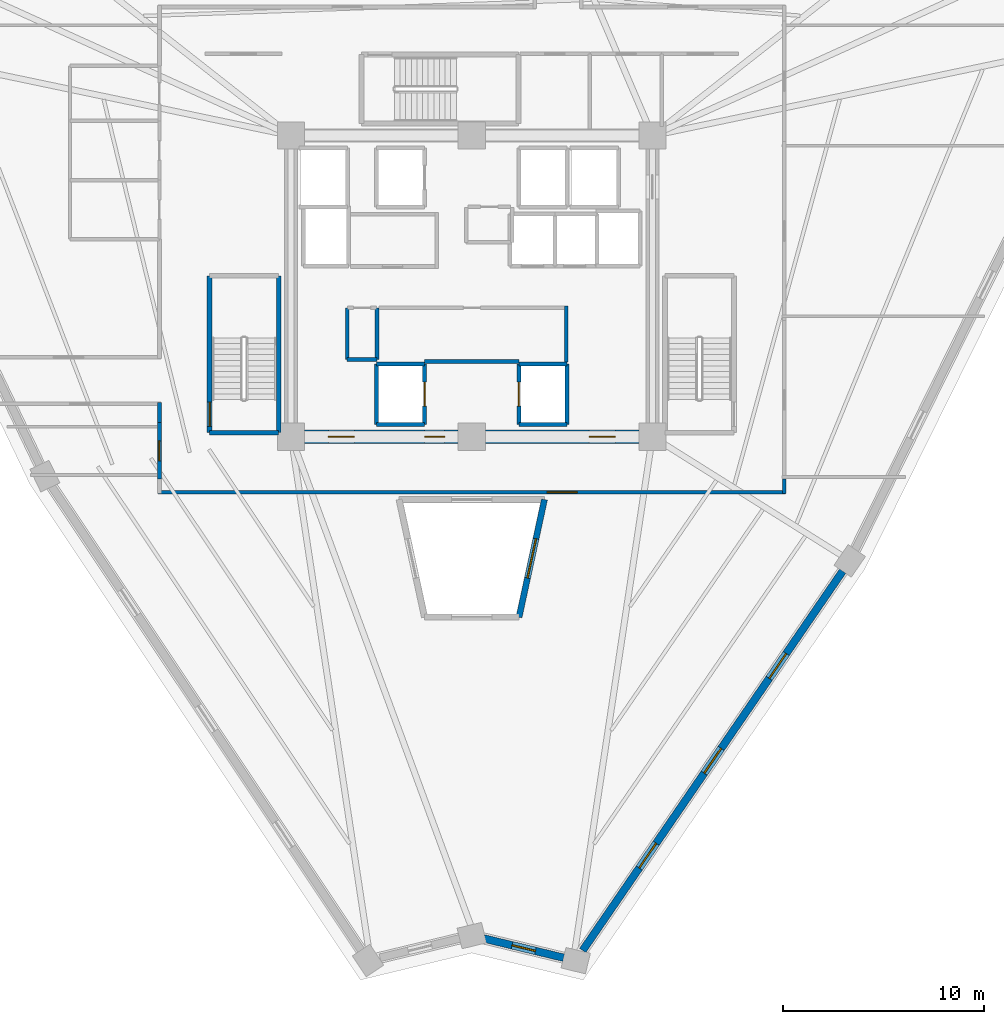
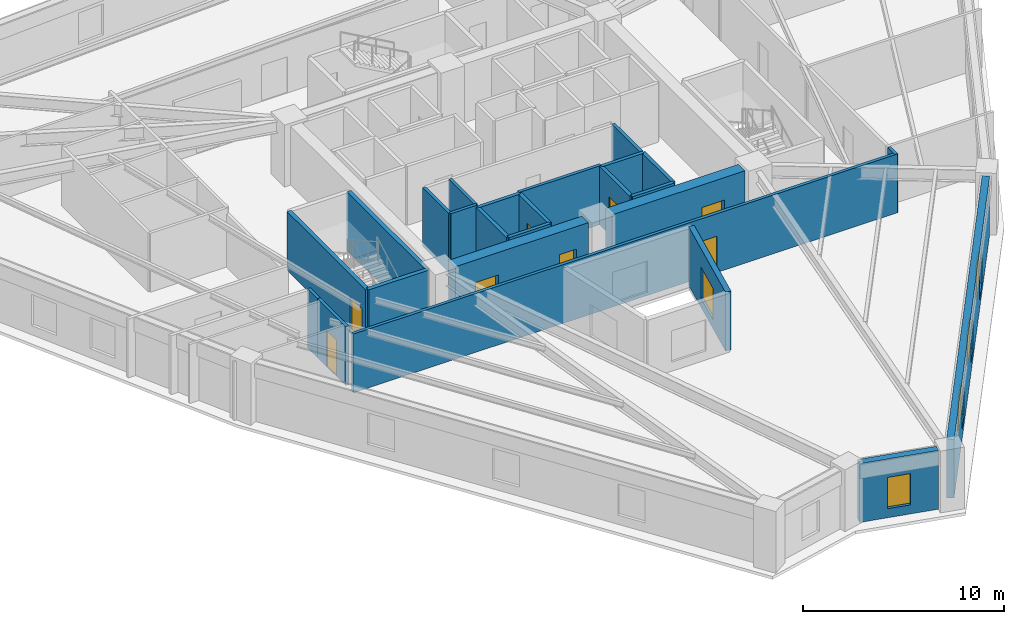
# One storey, part 3 of 8: 25 walls, 8 doors, 5 windows, 13 openings.
"""IFC4 building model written with IfcOpenShell, lengths in metres."""

from ifc_helpers import new_model, si_unit, direction, frame, frame_2d, origin, place, context, subcontext, project, spatial, rectangle, extrude, source, transform, mapped, material, layer, layer_set, type_object, element, fill, save


model = new_model("IFC4")

# Units and contexts
model_context = context("Model", 3, precision=1e-05, world=origin(), true_north=direction((0.0, 1.0)))
body_context = subcontext(model_context, "Body", "Model", "MODEL_VIEW")
ifc_project = project(units=[si_unit("LENGTHUNIT", "METRE"), si_unit("AREAUNIT", "SQUARE_METRE"), si_unit("VOLUMEUNIT", "CUBIC_METRE"), si_unit("PLANEANGLEUNIT", "RADIAN"), si_unit("MASSUNIT", "GRAM", prefix="KILO")], contexts=[model_context])

# Site, building, storey
site_placement = place(None, origin())
site = spatial("IfcSite", under=ifc_project, at=site_placement, CompositionType="ELEMENT")
building_placement = place(site_placement, origin())
building = spatial("IfcBuilding", under=site, at=building_placement, Name="Liaohun Quay Tower", CompositionType="ELEMENT")
storey_placement = place(building_placement, frame((0.0, 0.0, 266.25)))
storey = spatial("IfcBuildingStorey", under=building, at=storey_placement, Name="L69", CompositionType="ELEMENT", Elevation=266.25)

# Wall, opening, window
ifc_material_1 = material(Name="Concrete C50", Category="concrete")
ifc_layer_1 = layer(ifc_material_1, 0.300048828125, Name="Concrete C50", Category="concrete")
ifc_layer_set_1 = layer_set([ifc_layer_1], Name="Concrete C50")
wall_type_1 = type_object("IfcWallType", Name="WAL-ATR-300", PredefinedType="SOLIDWALL", material=ifc_layer_set_1)
wall_1_placement = place(storey_placement, frame((63.62109375, 43.3701171875, 0.0), z_axis=(0.0, 0.0, 1.0), x_axis=(-0.211271830319, -0.977427344468, 0.0)))
wall_1 = element("IfcWall", 1, at=wall_1_placement, inside=storey, type_object=wall_type_1, Name="L69 Atrium Fire Compartment Wall 3", PredefinedType="SOLIDWALL", context=body_context, shape_type="SweptSolid", body=[
    extrude(rectangle(XDim=5.99755859375, YDim=0.300048828125, at=frame_2d((2.998779296875, 0.0))), origin(), (0.0, 0.0, 1.0), 3.570068359375),
])
shared_shape_1 = source(origin(), body_context, "Body", "SweptSolid", [
    extrude(rectangle(XDim=2.0, YDim=1.89990234375, at=frame_2d((1.0, 0.949951171875))), frame((0.0, 0.159912109375, 0.0), z_axis=(0.0, -1.0, 0.0), x_axis=(1.0, 0.0, 0.0)), (0.0, 0.0, 1.0), 0.320068359375),
])
opening_1_placement = place(wall_1_placement, frame((1.9990234375, 0.0, 0.550048828125)))
opening_1 = element("IfcOpeningElement", 2, at=opening_1_placement, cuts=wall_1, Name="Opening W07", PredefinedType="OPENING", context=body_context, shape_type="MappedRepresentation", body=[
    mapped(shared_shape_1, transform((0.0, 0.0, 0.0), x_axis=(1.0, 0.0, 0.0), y_axis=(0.0, 1.0, 0.0), z_axis=(0.0, 0.0, 1.0), scale=1.0)),
])
ifc_material_2 = material(Name="Class A 180-min fire-resistant insulated glazing", Category="glass")
window_type_1 = type_object("IfcWindowType", Name="WIN-ATR-FIR", PartitioningType="DOUBLE_PANEL_VERTICAL", PredefinedType="WINDOW", material=ifc_material_2)
shared_shape_2 = source(origin(), body_context, "Body", "SweptSolid", [
    extrude(rectangle(XDim=2.0, YDim=1.89990234375, at=frame_2d((1.0, 0.949951171875))), frame((0.0, 0.030029296875, 0.0), z_axis=(0.0, -1.0, 0.0), x_axis=(1.0, 0.0, 0.0)), (0.0, 0.0, 1.0), 0.06005859375),
])
window_1_placement = place(opening_1_placement, origin())
window_1 = element("IfcWindow", 3, at=window_1_placement, inside=storey, type_object=window_type_1, Name="L69 Atrium Fire-Resistant Glazing W07-3", OverallHeight=1.89990234375, OverallWidth=2.0, PartitioningType="DOUBLE_PANEL_VERTICAL", PredefinedType="WINDOW", context=body_context, shape_type="MappedRepresentation", body=[
    mapped(shared_shape_2, transform((0.0, 0.0, 0.0), x_axis=(1.0, 0.0, 0.0), y_axis=(0.0, 1.0, 0.0), z_axis=(0.0, 0.0, 1.0), scale=1.0)),
])
fill(opening_1, window_1)

# Wall, opening, door
ifc_material_3 = material(Name="Concrete C55", Category="concrete")
ifc_layer_2 = layer(ifc_material_3, 0.64990234375, Name="Concrete C55", Category="concrete")
ifc_layer_set_2 = layer_set([ifc_layer_2], Name="Concrete C55")
wall_type_2 = type_object("IfcWallType", Name="WAL-COR-Z3", PredefinedType="SHEAR", material=ifc_layer_set_2)
wall_2_placement = place(storey_placement, frame((68.324951171875, 46.5, 0.0), z_axis=(0.0, 0.0, 1.0), x_axis=(-1.0, 0.0, 0.0)))
wall_2 = element("IfcWall", 4, at=wall_2_placement, inside=storey, type_object=wall_type_2, Name="L69 Central Core Shear Wall S-E", PredefinedType="SHEAR", context=body_context, shape_type="SweptSolid", body=[
    extrude(rectangle(XDim=7.64990234375, YDim=0.64990234375, at=frame_2d((3.824951171875, 0.0))), origin(), (0.0, 0.0, 1.0), 3.570068359375),
])
shared_shape_3 = source(origin(), body_context, "Body", "SweptSolid", [
    extrude(rectangle(XDim=1.300048828125, YDim=2.199951171875, at=frame_2d((0.64990234375, 1.10009765625))), frame((0.0, 0.3349609375, 0.0), z_axis=(0.0, -1.0, 0.0), x_axis=(1.0, 0.0, 0.0)), (0.0, 0.0, 1.0), 0.669921875),
])
opening_2_placement = place(wall_2_placement, frame((1.175048828125, 0.0, 0.0)))
opening_2 = element("IfcOpeningElement", 5, at=opening_2_placement, cuts=wall_2, Name="Opening FD1", PredefinedType="OPENING", context=body_context, shape_type="MappedRepresentation", body=[
    mapped(shared_shape_3, transform((0.0, 0.0, 0.0), x_axis=(1.0, 0.0, 0.0), y_axis=(0.0, 1.0, 0.0), z_axis=(0.0, 0.0, 1.0), scale=1.0)),
])
ifc_material_4 = material(Name="Galvanised steel smokeproof fire door", Category="steel")
door_type_1 = type_object("IfcDoorType", Name="DOR-FFL-1300", OperationType="NOTDEFINED", PredefinedType="DOOR", material=ifc_material_4)
shared_shape_4 = source(origin(), body_context, "Body", "SweptSolid", [
    extrude(rectangle(XDim=1.300048828125, YDim=2.199951171875, at=frame_2d((0.64990234375, 1.10009765625))), frame((0.0, 0.02490234375, 0.0), z_axis=(0.0, -1.0, 0.0), x_axis=(1.0, 0.0, 0.0)), (0.0, 0.0, 1.0), 0.050048828125),
])
door_1_placement = place(opening_2_placement, origin())
door_1 = element("IfcDoor", 6, at=door_1_placement, inside=storey, type_object=door_type_1, Name="L69 East Core Lift Lobby Smokeproof Door", OperationType="SINGLE_SWING_LEFT", OverallHeight=2.199951171875, OverallWidth=1.300048828125, PredefinedType="DOOR", context=body_context, shape_type="MappedRepresentation", body=[
    mapped(shared_shape_4, transform((0.0, 0.0, 0.0), x_axis=(1.0, 0.0, 0.0), y_axis=(0.0, 1.0, 0.0), z_axis=(0.0, 0.0, 1.0), scale=1.0)),
])
fill(opening_2, door_1)

# Wall, openings, doors
wall_3_placement = place(storey_placement, frame((59.324951171875, 46.5, 0.0), z_axis=(0.0, 0.0, 1.0), x_axis=(-1.0, 0.0, 0.0)))
wall_3 = element("IfcWall", 7, at=wall_3_placement, inside=storey, type_object=wall_type_2, Name="L69 Central Core Shear Wall S-W", PredefinedType="SHEAR", context=body_context, shape_type="SweptSolid", body=[
    extrude(rectangle(XDim=7.64990234375, YDim=0.64990234375, at=frame_2d((3.824951171875, 0.0))), origin(), (0.0, 0.0, 1.0), 3.570068359375),
])
opening_3_placement = place(wall_3_placement, frame((5.175048828125, 0.0, 0.0)))
opening_3 = element("IfcOpeningElement", 8, at=opening_3_placement, cuts=wall_3, Name="Opening FD1", PredefinedType="OPENING", context=body_context, shape_type="MappedRepresentation", body=[
    mapped(shared_shape_3, transform((0.0, 0.0, 0.0), x_axis=(1.0, 0.0, 0.0), y_axis=(0.0, 1.0, 0.0), z_axis=(0.0, 0.0, 1.0), scale=1.0)),
])
shared_shape_5 = source(origin(), body_context, "Body", "SweptSolid", [
    extrude(rectangle(XDim=1.0, YDim=2.199951171875, at=frame_2d((0.5, 1.10009765625))), frame((0.0, 0.3349609375, 0.0), z_axis=(0.0, -1.0, 0.0), x_axis=(1.0, 0.0, 0.0)), (0.0, 0.0, 1.0), 0.669921875),
])
opening_4_placement = place(wall_3_placement, frame((0.675048828125, 0.0, 0.0)))
opening_4 = element("IfcOpeningElement", 9, at=opening_4_placement, cuts=wall_3, Name="Opening FD2", PredefinedType="OPENING", context=body_context, shape_type="MappedRepresentation", body=[
    mapped(shared_shape_5, transform((0.0, 0.0, 0.0), x_axis=(1.0, 0.0, 0.0), y_axis=(0.0, 1.0, 0.0), z_axis=(0.0, 0.0, 1.0), scale=1.0)),
])
door_2_placement = place(opening_3_placement, origin())
door_2 = element("IfcDoor", 10, at=door_2_placement, inside=storey, type_object=door_type_1, Name="L69 West Core Lift Lobby Smokeproof Door", OperationType="SINGLE_SWING_RIGHT", OverallHeight=2.199951171875, OverallWidth=1.300048828125, PredefinedType="DOOR", context=body_context, shape_type="MappedRepresentation", body=[
    mapped(shared_shape_4, transform((0.0, 0.0, 0.0), x_axis=(1.0, 0.0, 0.0), y_axis=(0.0, 1.0, 0.0), z_axis=(0.0, 0.0, 1.0), scale=1.0)),
])
fill(opening_3, door_2)
ifc_material_5 = material(Name="Galvanised steel smokeproof lobby fire door", Category="steel")
door_type_2 = type_object("IfcDoorType", Name="DOR-FFL-1000", OperationType="NOTDEFINED", PredefinedType="DOOR", material=ifc_material_5)
shared_shape_6 = source(origin(), body_context, "Body", "SweptSolid", [
    extrude(rectangle(XDim=1.0, YDim=2.199951171875, at=frame_2d((0.5, 1.10009765625))), frame((0.0, 0.02490234375, 0.0), z_axis=(0.0, -1.0, 0.0), x_axis=(1.0, 0.0, 0.0)), (0.0, 0.0, 1.0), 0.050048828125),
])
door_3_placement = place(opening_4_placement, origin())
door_3 = element("IfcDoor", 11, at=door_3_placement, inside=storey, type_object=door_type_2, Name="L69 South Firefighting Lobby Smokeproof Door", OperationType="SINGLE_SWING_LEFT", OverallHeight=2.199951171875, OverallWidth=1.0, PredefinedType="DOOR", context=body_context, shape_type="MappedRepresentation", body=[
    mapped(shared_shape_6, transform((0.0, 0.0, 0.0), x_axis=(1.0, 0.0, 0.0), y_axis=(0.0, 1.0, 0.0), z_axis=(0.0, 0.0, 1.0), scale=1.0)),
])
fill(opening_4, door_3)

# Wall, opening, window
ifc_material_6 = material(Name="Precast concrete C50 insulated sandwich", Category="concrete")
ifc_layer_3 = layer(ifc_material_6, 0.3798828125, Name="Precast concrete C50 insulated sandwich", Category="concrete")
ifc_layer_set_3 = layer_set([ifc_layer_3], Name="Precast concrete C50 insulated sandwich")
wall_type_3 = type_object("IfcWallType", Name="WAL-EXT-Z34", PredefinedType="SOLIDWALL", material=ifc_layer_set_3)
wall_4_placement = place(storey_placement, frame((60.597900390625, 21.5048828125, 0.0), z_axis=(0.0, 0.0, 1.0), x_axis=(0.972030144739, -0.234856121314, 0.0)))
wall_4 = element("IfcWall", 12, at=wall_4_placement, inside=storey, type_object=wall_type_3, Name="L69 Brutalist Precast Pier Wall 01", PredefinedType="SOLIDWALL", context=body_context, shape_type="SweptSolid", body=[
    extrude(rectangle(XDim=4.095703125, YDim=0.3798828125, at=frame_2d((2.0478515625, 0.0))), origin(), (0.0, 0.0, 1.0), 3.570068359375),
])
shared_shape_7 = source(origin(), body_context, "Body", "SweptSolid", [
    extrude(rectangle(XDim=1.199951171875, YDim=1.89990234375, at=frame_2d((0.60009765625, 0.949951171875))), frame((0.0, 0.199951171875, 0.0), z_axis=(0.0, -1.0, 0.0), x_axis=(1.0, 0.0, 0.0)), (0.0, 0.0, 1.0), 0.39990234375),
])
opening_5_placement = place(wall_4_placement, frame((1.447998046875, 0.0, 0.550048828125)))
opening_5 = element("IfcOpeningElement", 13, at=opening_5_placement, cuts=wall_4, Name="Opening W05", PredefinedType="OPENING", context=body_context, shape_type="MappedRepresentation", body=[
    mapped(shared_shape_7, transform((0.0, 0.0, 0.0), x_axis=(1.0, 0.0, 0.0), y_axis=(0.0, 1.0, 0.0), z_axis=(0.0, 0.0, 1.0), scale=1.0)),
])
ifc_material_7 = material(Name="Triple Low-E corner notch glazing", Category="glass")
window_type_2 = type_object("IfcWindowType", Name="WIN-NOTCH", PartitioningType="SINGLE_PANEL", PredefinedType="WINDOW", material=ifc_material_7)
shared_shape_8 = source(origin(), body_context, "Body", "SweptSolid", [
    extrude(rectangle(XDim=1.199951171875, YDim=1.89990234375, at=frame_2d((0.60009765625, 0.949951171875))), frame((0.0, 0.030029296875, 0.0), z_axis=(0.0, -1.0, 0.0), x_axis=(1.0, 0.0, 0.0)), (0.0, 0.0, 1.0), 0.06005859375),
])
window_2_placement = place(opening_5_placement, origin())
window_2 = element("IfcWindow", 14, at=window_2_placement, inside=storey, type_object=window_type_2, Name="L69 Corner Notch Window W05-01", OverallHeight=1.89990234375, OverallWidth=1.199951171875, PartitioningType="SINGLE_PANEL", PredefinedType="WINDOW", context=body_context, shape_type="MappedRepresentation", body=[
    mapped(shared_shape_8, transform((0.0, 0.0, 0.0), x_axis=(1.0, 0.0, 0.0), y_axis=(0.0, 1.0, 0.0), z_axis=(0.0, 0.0, 1.0), scale=1.0)),
])
fill(opening_5, window_2)

# Wall, openings, windows
wall_5_placement = place(storey_placement, frame((65.52490234375, 20.906005859375, 0.0), z_axis=(0.0, 0.0, 1.0), x_axis=(0.565364357926, 0.824841283392, 0.0)))
wall_5 = element("IfcWall", 15, at=wall_5_placement, inside=storey, type_object=wall_type_3, Name="L69 Brutalist Precast Pier Wall 02", PredefinedType="SOLIDWALL", context=body_context, shape_type="SweptSolid", body=[
    extrude(rectangle(XDim=22.91455078125, YDim=0.3798828125, at=frame_2d((11.457275390625, 0.0))), origin(), (0.0, 0.0, 1.0), 3.570068359375),
])
shared_shape_9 = source(origin(), body_context, "Body", "SweptSolid", [
    extrude(rectangle(XDim=1.5, YDim=1.89990234375, at=frame_2d((0.75, 0.949951171875))), frame((0.0, 0.199951171875, 0.0), z_axis=(0.0, -1.0, 0.0), x_axis=(1.0, 0.0, 0.0)), (0.0, 0.0, 1.0), 0.39990234375),
])
opening_6_placement = place(wall_5_placement, frame((4.97900390625, 0.0, 0.550048828125)))
opening_6 = element("IfcOpeningElement", 16, at=opening_6_placement, cuts=wall_5, Name="Opening W03", PredefinedType="OPENING", context=body_context, shape_type="MappedRepresentation", body=[
    mapped(shared_shape_9, transform((0.0, 0.0, 0.0), x_axis=(1.0, 0.0, 0.0), y_axis=(0.0, 1.0, 0.0), z_axis=(0.0, 0.0, 1.0), scale=1.0)),
])
opening_7_placement = place(wall_5_placement, frame((10.70703125, 0.0, 0.550048828125)))
opening_7 = element("IfcOpeningElement", 17, at=opening_7_placement, cuts=wall_5, Name="Opening W03", PredefinedType="OPENING", context=body_context, shape_type="MappedRepresentation", body=[
    mapped(shared_shape_9, transform((0.0, 0.0, 0.0), x_axis=(1.0, 0.0, 0.0), y_axis=(0.0, 1.0, 0.0), z_axis=(0.0, 0.0, 1.0), scale=1.0)),
])
opening_8_placement = place(wall_5_placement, frame((16.43603515625, 0.0, 0.550048828125)))
opening_8 = element("IfcOpeningElement", 18, at=opening_8_placement, cuts=wall_5, Name="Opening W03", PredefinedType="OPENING", context=body_context, shape_type="MappedRepresentation", body=[
    mapped(shared_shape_9, transform((0.0, 0.0, 0.0), x_axis=(1.0, 0.0, 0.0), y_axis=(0.0, 1.0, 0.0), z_axis=(0.0, 0.0, 1.0), scale=1.0)),
])
ifc_material_8 = material(Name="Triple Low-E argon glazing in thermally broken aluminium", Category="aluminium")
window_type_3 = type_object("IfcWindowType", Name="WIN-PUN-Z3", PartitioningType="DOUBLE_PANEL_VERTICAL", PredefinedType="WINDOW", material=ifc_material_8)
shared_shape_10 = source(origin(), body_context, "Body", "SweptSolid", [
    extrude(rectangle(XDim=1.5, YDim=1.89990234375, at=frame_2d((0.75, 0.949951171875))), frame((0.0, 0.030029296875, 0.0), z_axis=(0.0, -1.0, 0.0), x_axis=(1.0, 0.0, 0.0)), (0.0, 0.0, 1.0), 0.06005859375),
])
window_3_placement = place(opening_6_placement, origin())
window_3 = element("IfcWindow", 19, at=window_3_placement, inside=storey, type_object=window_type_3, Name="L69 Recessed Cold-Climate Punched Window 02-1", OverallHeight=1.89990234375, OverallWidth=1.5, PartitioningType="DOUBLE_PANEL_VERTICAL", PredefinedType="WINDOW", context=body_context, shape_type="MappedRepresentation", body=[
    mapped(shared_shape_10, transform((0.0, 0.0, 0.0), x_axis=(1.0, 0.0, 0.0), y_axis=(0.0, 1.0, 0.0), z_axis=(0.0, 0.0, 1.0), scale=1.0)),
])
fill(opening_6, window_3)
window_4_placement = place(opening_7_placement, origin())
window_4 = element("IfcWindow", 20, at=window_4_placement, inside=storey, type_object=window_type_3, Name="L69 Recessed Cold-Climate Punched Window 02-2", OverallHeight=1.89990234375, OverallWidth=1.5, PartitioningType="DOUBLE_PANEL_VERTICAL", PredefinedType="WINDOW", context=body_context, shape_type="MappedRepresentation", body=[
    mapped(shared_shape_10, transform((0.0, 0.0, 0.0), x_axis=(1.0, 0.0, 0.0), y_axis=(0.0, 1.0, 0.0), z_axis=(0.0, 0.0, 1.0), scale=1.0)),
])
fill(opening_7, window_4)
window_5_placement = place(opening_8_placement, origin())
window_5 = element("IfcWindow", 21, at=window_5_placement, inside=storey, type_object=window_type_3, Name="L69 Recessed Cold-Climate Punched Window 02-3", OverallHeight=1.89990234375, OverallWidth=1.5, PartitioningType="DOUBLE_PANEL_VERTICAL", PredefinedType="WINDOW", context=body_context, shape_type="MappedRepresentation", body=[
    mapped(shared_shape_10, transform((0.0, 0.0, 0.0), x_axis=(1.0, 0.0, 0.0), y_axis=(0.0, 1.0, 0.0), z_axis=(0.0, 0.0, 1.0), scale=1.0)),
])
fill(opening_8, window_5)

# Wall, opening, door
ifc_material_9 = material(Name="Autoclaved aerated concrete blockwork", Category="masonry")
ifc_layer_4 = layer(ifc_material_9, 0.179931640625, Name="Autoclaved aerated concrete blockwork", Category="masonry")
ifc_layer_set_4 = layer_set([ifc_layer_4], Name="Autoclaved aerated concrete blockwork")
wall_type_4 = type_object("IfcWallType", Name="WAL-PRT-COR", PredefinedType="PARTITIONING", material=ifc_layer_set_4)
wall_6_placement = place(storey_placement, frame((44.43994140625, 44.385009765625, 0.0), z_axis=(0.0, 0.0, 1.0), x_axis=(0.0, 1.0, 0.0)))
wall_6 = element("IfcWall", 22, at=wall_6_placement, inside=storey, type_object=wall_type_4, Name="L69 Interior Partition Wall 018", PredefinedType="PARTITIONING", context=body_context, shape_type="SweptSolid", body=[
    extrude(rectangle(XDim=2.830078125, YDim=0.179931640625, at=frame_2d((1.4150390625, 0.0))), origin(), (0.0, 0.0, 1.0), 3.570068359375),
])
shared_shape_11 = source(origin(), body_context, "Body", "SweptSolid", [
    extrude(rectangle(XDim=1.0, YDim=2.199951171875, at=frame_2d((0.5, 1.10009765625))), frame((0.0, 0.099853515625, 0.0), z_axis=(0.0, -1.0, 0.0), x_axis=(1.0, 0.0, 0.0)), (0.0, 0.0, 1.0), 0.199951171875),
])
opening_9_placement = place(wall_6_placement, frame((0.9150390625, 0.0, 0.0)))
opening_9 = element("IfcOpeningElement", 23, at=opening_9_placement, cuts=wall_6, Name="Opening OD1", PredefinedType="OPENING", context=body_context, shape_type="MappedRepresentation", body=[
    mapped(shared_shape_11, transform((0.0, 0.0, 0.0), x_axis=(1.0, 0.0, 0.0), y_axis=(0.0, 1.0, 0.0), z_axis=(0.0, 0.0, 1.0), scale=1.0)),
])
ifc_material_10 = material(Name="Solid-core oak veneer timber leaf in steel frame", Category="steel")
door_type_3 = type_object("IfcDoorType", Name="DOR-OFF-1000", OperationType="NOTDEFINED", PredefinedType="DOOR", material=ifc_material_10)
door_4_placement = place(opening_9_placement, origin())
door_4 = element("IfcDoor", 24, at=door_4_placement, inside=storey, type_object=door_type_3, Name="L69 Digital Prototyping Laboratory 07 Door", OperationType="SINGLE_SWING_RIGHT", OverallHeight=2.199951171875, OverallWidth=1.0, PredefinedType="DOOR", context=body_context, shape_type="MappedRepresentation", body=[
    mapped(shared_shape_6, transform((0.0, 0.0, 0.0), x_axis=(1.0, 0.0, 0.0), y_axis=(0.0, 1.0, 0.0), z_axis=(0.0, 0.0, 1.0), scale=1.0)),
])
fill(opening_9, door_4)

wall_7_placement = place(storey_placement, frame((75.6298828125, 43.739990234375, 0.0), z_axis=(0.0, 0.0, 1.0), x_axis=(-1.0, 0.0, 0.0)))
wall_7 = element("IfcWall", 25, at=wall_7_placement, inside=storey, type_object=wall_type_4, Name="L69 Interior Partition Wall 019", PredefinedType="PARTITIONING", context=body_context, shape_type="SweptSolid", body=[
    extrude(rectangle(XDim=31.259765625, YDim=0.179931640625, at=frame_2d((15.6298828125, 0.0))), origin(), (0.0, 0.0, 1.0), 3.570068359375),
])
shared_shape_12 = source(origin(), body_context, "Body", "SweptSolid", [
    extrude(rectangle(XDim=1.5, YDim=2.199951171875, at=frame_2d((0.75, 1.10009765625))), frame((0.0, 0.099853515625, 0.0), z_axis=(0.0, -1.0, 0.0), x_axis=(1.0, 0.0, 0.0)), (0.0, 0.0, 1.0), 0.199951171875),
])
opening_10_placement = place(wall_7_placement, frame((10.3798828125, 0.0, 0.0)))
opening_10 = element("IfcOpeningElement", 26, at=opening_10_placement, cuts=wall_7, Name="Opening OD2", PredefinedType="OPENING", context=body_context, shape_type="MappedRepresentation", body=[
    mapped(shared_shape_12, transform((0.0, 0.0, 0.0), x_axis=(1.0, 0.0, 0.0), y_axis=(0.0, 1.0, 0.0), z_axis=(0.0, 0.0, 1.0), scale=1.0)),
])
ifc_material_11 = material(Name="Acoustic oak veneer double door")
door_type_4 = type_object("IfcDoorType", Name="DOR-OFF-1500", OperationType="DOUBLE_DOOR_SINGLE_SWING", PredefinedType="DOOR", material=ifc_material_11)
shared_shape_13 = source(origin(), body_context, "Body", "SweptSolid", [
    extrude(rectangle(XDim=1.5, YDim=2.199951171875, at=frame_2d((0.75, 1.10009765625))), frame((0.0, 0.02490234375, 0.0), z_axis=(0.0, -1.0, 0.0), x_axis=(1.0, 0.0, 0.0)), (0.0, 0.0, 1.0), 0.050048828125),
])
door_5_placement = place(opening_10_placement, origin())
door_5 = element("IfcDoor", 27, at=door_5_placement, inside=storey, type_object=door_type_4, Name="L69 Client Collaboration Lounge 08 Door", OperationType="DOUBLE_DOOR_SINGLE_SWING", OverallHeight=2.199951171875, OverallWidth=1.5, PredefinedType="DOOR", context=body_context, shape_type="MappedRepresentation", body=[
    mapped(shared_shape_13, transform((0.0, 0.0, 0.0), x_axis=(1.0, 0.0, 0.0), y_axis=(0.0, 1.0, 0.0), z_axis=(0.0, 0.0, 1.0), scale=1.0)),
])
fill(opening_10, door_5)

# Walls
wall_8_placement = place(storey_placement, frame((53.7900390625, 50.35009765625, 0.0), z_axis=(0.0, 0.0, 1.0), x_axis=(0.0, 1.0, 0.0)))
element("IfcWall", 28, at=wall_8_placement, inside=storey, type_object=wall_type_4, Name="L69 Interior Partition Wall 024", PredefinedType="PARTITIONING", context=body_context, shape_type="SweptSolid", body=[
    extrude(rectangle(XDim=2.56982421875, YDim=0.179931640625, at=frame_2d((1.284912109375, 0.0))), origin(), (0.0, 0.0, 1.0), 3.570068359375),
])
wall_9_placement = place(storey_placement, frame((53.7900390625, 50.35009765625, 0.0), z_axis=(0.0, 0.0, 1.0), x_axis=(1.0, 0.0, 0.0)))
element("IfcWall", 29, at=wall_9_placement, inside=storey, type_object=wall_type_4, Name="L69 Interior Partition Wall 025", PredefinedType="PARTITIONING", context=body_context, shape_type="SweptSolid", body=[
    extrude(rectangle(XDim=1.489990234375, YDim=0.179931640625, at=frame_2d((0.7451171875, 0.0))), origin(), (0.0, 0.0, 1.0), 3.570068359375),
])
wall_10_placement = place(storey_placement, frame((55.280029296875, 50.35009765625, 0.0), z_axis=(0.0, 0.0, 1.0), x_axis=(0.0, 1.0, 0.0)))
element("IfcWall", 30, at=wall_10_placement, inside=storey, type_object=wall_type_4, Name="L69 Interior Partition Wall 026", PredefinedType="PARTITIONING", context=body_context, shape_type="SweptSolid", body=[
    extrude(rectangle(XDim=2.56982421875, YDim=0.179931640625, at=frame_2d((1.284912109375, 0.0))), origin(), (0.0, 0.0, 1.0), 3.570068359375),
])
wall_11_placement = place(storey_placement, frame((44.43994140625, 47.215087890625, 0.0), z_axis=(0.0, 0.0, 1.0), x_axis=(0.0, 1.0, 0.0)))
element("IfcWall", 31, at=wall_11_placement, inside=storey, type_object=wall_type_4, Name="L69 Interior Partition Wall 040", PredefinedType="PARTITIONING", context=body_context, shape_type="SweptSolid", body=[
    extrude(rectangle(XDim=0.994873046875, YDim=0.179931640625, at=frame_2d((0.49755859375, 0.0))), origin(), (0.0, 0.0, 1.0), 3.570068359375),
])
wall_12_placement = place(storey_placement, frame((75.56005859375, 44.385009765625, 0.0), z_axis=(0.0, 0.0, 1.0), x_axis=(0.0, -1.0, 0.0)))
element("IfcWall", 32, at=wall_12_placement, inside=storey, type_object=wall_type_4, Name="L69 Interior Partition Wall 042", PredefinedType="PARTITIONING", context=body_context, shape_type="SweptSolid", body=[
    extrude(rectangle(XDim=0.715087890625, YDim=0.179931640625, at=frame_2d((0.357421875, 0.0))), origin(), (0.0, 0.0, 1.0), 3.570068359375),
])
wall_13_placement = place(storey_placement, frame((64.699951171875, 50.219970703125, 0.0), z_axis=(0.0, 0.0, 1.0), x_axis=(0.0, 1.0, 0.0)))
element("IfcWall", 33, at=wall_13_placement, inside=storey, type_object=wall_type_4, Name="L69 Interior Partition Wall 050", PredefinedType="PARTITIONING", context=body_context, shape_type="SweptSolid", body=[
    extrude(rectangle(XDim=2.7900390625, YDim=0.179931640625, at=frame_2d((1.39501953125, 0.0))), origin(), (0.0, 0.0, 1.0), 3.570068359375),
])
wall_14_placement = place(storey_placement, frame((57.64990234375, 50.25, 0.0), z_axis=(0.0, 0.0, 1.0), x_axis=(1.0, 0.0, 0.0)))
element("IfcWall", 34, at=wall_14_placement, inside=storey, type_object=wall_type_4, Name="L69 Interior Partition Wall 051", PredefinedType="PARTITIONING", context=body_context, shape_type="SweptSolid", body=[
    extrude(rectangle(XDim=4.7001953125, YDim=0.179931640625, at=frame_2d((2.35009765625, 0.0))), origin(), (0.0, 0.0, 1.0), 3.570068359375),
])
ifc_layer_5 = layer(ifc_material_1, 0.239990234375, Name="Concrete C50", Category="concrete")
ifc_layer_set_5 = layer_set([ifc_layer_5], Name="Concrete C50")
wall_type_5 = type_object("IfcWallType", Name="WAL-SHF-200", PredefinedType="SOLIDWALL", material=ifc_layer_set_5)
wall_15_placement = place(storey_placement, frame((46.93994140625, 46.699951171875, 0.0), z_axis=(0.0, 0.0, 1.0), x_axis=(1.0, 0.0, 0.0)))
element("IfcWall", 35, at=wall_15_placement, inside=storey, type_object=wall_type_5, Name="L69 Stairwell ST-1 Structural Core Wall S", PredefinedType="SOLIDWALL", context=body_context, shape_type="SweptSolid", body=[
    extrude(rectangle(XDim=3.43994140625, YDim=0.239990234375, at=frame_2d((1.719970703125, 0.0))), origin(), (0.0, 0.0, 1.0), 3.570068359375),
])
wall_16_placement = place(storey_placement, frame((50.3798828125, 46.699951171875, 0.0), z_axis=(0.0, 0.0, 1.0), x_axis=(0.0, 1.0, 0.0)))
element("IfcWall", 36, at=wall_16_placement, inside=storey, type_object=wall_type_5, Name="L69 Stairwell ST-1 Structural Core Wall E", PredefinedType="SOLIDWALL", context=body_context, shape_type="SweptSolid", body=[
    extrude(rectangle(XDim=7.820068359375, YDim=0.239990234375, at=frame_2d((3.91015625, 0.0))), origin(), (0.0, 0.0, 1.0), 3.570068359375),
])

# Wall, opening, door
wall_17_placement = place(storey_placement, frame((46.93994140625, 54.52001953125, 0.0), z_axis=(0.0, 0.0, 1.0), x_axis=(0.0, -1.0, 0.0)))
wall_17 = element("IfcWall", 37, at=wall_17_placement, inside=storey, type_object=wall_type_5, Name="L69 Stairwell ST-1 Structural Core Wall W", PredefinedType="SOLIDWALL", context=body_context, shape_type="SweptSolid", body=[
    extrude(rectangle(XDim=7.820068359375, YDim=0.239990234375, at=frame_2d((3.91015625, 0.0))), origin(), (0.0, 0.0, 1.0), 3.570068359375),
])
shared_shape_14 = source(origin(), body_context, "Body", "SweptSolid", [
    extrude(rectangle(XDim=1.199951171875, YDim=2.199951171875, at=frame_2d((0.60009765625, 1.10009765625))), frame((0.0, 0.1298828125, 0.0), z_axis=(0.0, -1.0, 0.0), x_axis=(1.0, 0.0, 0.0)), (0.0, 0.0, 1.0), 0.260009765625),
])
opening_11_placement = place(wall_17_placement, frame((6.300048828125, 0.0, 0.0)))
opening_11 = element("IfcOpeningElement", 38, at=opening_11_placement, cuts=wall_17, Name="Opening SD1", PredefinedType="OPENING", context=body_context, shape_type="MappedRepresentation", body=[
    mapped(shared_shape_14, transform((0.0, 0.0, 0.0), x_axis=(1.0, 0.0, 0.0), y_axis=(0.0, 1.0, 0.0), z_axis=(0.0, 0.0, 1.0), scale=1.0)),
])
ifc_material_12 = material(Name="Galvanised steel fire door", Category="steel")
door_type_5 = type_object("IfcDoorType", Name="DOR-STR-1200", OperationType="NOTDEFINED", PredefinedType="DOOR", material=ifc_material_12)
shared_shape_15 = source(origin(), body_context, "Body", "SweptSolid", [
    extrude(rectangle(XDim=1.199951171875, YDim=2.199951171875, at=frame_2d((0.60009765625, 1.10009765625))), frame((0.0, 0.02490234375, 0.0), z_axis=(0.0, -1.0, 0.0), x_axis=(1.0, 0.0, 0.0)), (0.0, 0.0, 1.0), 0.050048828125),
])
door_6_placement = place(opening_11_placement, origin())
door_6 = element("IfcDoor", 39, at=door_6_placement, inside=storey, type_object=door_type_5, Name="L69 Protected Stair ST-1 Fire Door", OperationType="SINGLE_SWING_LEFT", OverallHeight=2.199951171875, OverallWidth=1.199951171875, PredefinedType="DOOR", context=body_context, shape_type="MappedRepresentation", body=[
    mapped(shared_shape_15, transform((0.0, 0.0, 0.0), x_axis=(1.0, 0.0, 0.0), y_axis=(0.0, 1.0, 0.0), z_axis=(0.0, 0.0, 1.0), scale=1.0)),
])
fill(opening_11, door_6)

# Wall
wall_18_placement = place(storey_placement, frame((55.25, 47.1201171875, 0.0), z_axis=(0.0, 0.0, 1.0), x_axis=(1.0, 0.0, 0.0)))
element("IfcWall", 40, at=wall_18_placement, inside=storey, type_object=wall_type_5, Name="L69 Lift FF-01 Hoistway Wall S", PredefinedType="SOLIDWALL", context=body_context, shape_type="SweptSolid", body=[
    extrude(rectangle(XDim=2.39990234375, YDim=0.199951171875, at=frame_2d((1.199951171875, 0.0))), origin(), (0.0, 0.0, 1.0), 3.570068359375),
])

# Wall, opening, door
wall_19_placement = place(storey_placement, frame((57.64990234375, 47.1201171875, 0.0), z_axis=(0.0, 0.0, 1.0), x_axis=(0.0, 1.0, 0.0)))
wall_19 = element("IfcWall", 41, at=wall_19_placement, inside=storey, type_object=wall_type_5, Name="L69 Lift FF-01 Hoistway Wall E", PredefinedType="SOLIDWALL", context=body_context, shape_type="SweptSolid", body=[
    extrude(rectangle(XDim=3.0, YDim=0.199951171875, at=frame_2d((1.5, 0.0))), origin(), (0.0, 0.0, 1.0), 3.570068359375),
])
shared_shape_16 = source(origin(), body_context, "Body", "SweptSolid", [
    extrude(rectangle(XDim=1.199951171875, YDim=2.300048828125, at=frame_2d((0.60009765625, 1.14990234375))), frame((0.0, 0.10986328125, 0.0), z_axis=(0.0, -1.0, 0.0), x_axis=(1.0, 0.0, 0.0)), (0.0, 0.0, 1.0), 0.219970703125),
])
opening_12_placement = place(wall_19_placement, frame((0.89990234375, 0.0, 0.0)))
opening_12 = element("IfcOpeningElement", 42, at=opening_12_placement, cuts=wall_19, Name="Opening LD2", PredefinedType="OPENING", context=body_context, shape_type="MappedRepresentation", body=[
    mapped(shared_shape_16, transform((0.0, 0.0, 0.0), x_axis=(1.0, 0.0, 0.0), y_axis=(0.0, 1.0, 0.0), z_axis=(0.0, 0.0, 1.0), scale=1.0)),
])
ifc_material_13 = material(Name="Brushed stainless steel stretcher landing door", Category="steel")
door_type_6 = type_object("IfcDoorType", Name="DOR-LFT-1200", OperationType="SLIDING_TO_LEFT", PredefinedType="DOOR", material=ifc_material_13)
shared_shape_17 = source(origin(), body_context, "Body", "SweptSolid", [
    extrude(rectangle(XDim=1.199951171875, YDim=2.300048828125, at=frame_2d((0.60009765625, 1.14990234375))), frame((0.0, 0.02490234375, 0.0), z_axis=(0.0, -1.0, 0.0), x_axis=(1.0, 0.0, 0.0)), (0.0, 0.0, 1.0), 0.050048828125),
])
door_7_placement = place(opening_12_placement, origin())
door_7 = element("IfcDoor", 43, at=door_7_placement, inside=storey, type_object=door_type_6, Name="L69 Lift FF-01 Sliding Landing Door", OperationType="SLIDING_TO_LEFT", OverallHeight=2.300048828125, OverallWidth=1.199951171875, PredefinedType="DOOR", context=body_context, shape_type="MappedRepresentation", body=[
    mapped(shared_shape_17, transform((0.0, 0.0, 0.0), x_axis=(1.0, 0.0, 0.0), y_axis=(0.0, 1.0, 0.0), z_axis=(0.0, 0.0, 1.0), scale=1.0)),
])
fill(opening_12, door_7)

# Walls
wall_20_placement = place(storey_placement, frame((57.64990234375, 50.1201171875, 0.0), z_axis=(0.0, 0.0, 1.0), x_axis=(-1.0, 0.0, 0.0)))
element("IfcWall", 44, at=wall_20_placement, inside=storey, type_object=wall_type_5, Name="L69 Lift FF-01 Hoistway Wall N", PredefinedType="SOLIDWALL", context=body_context, shape_type="SweptSolid", body=[
    extrude(rectangle(XDim=2.39990234375, YDim=0.199951171875, at=frame_2d((1.199951171875, 0.0))), origin(), (0.0, 0.0, 1.0), 3.570068359375),
])
wall_21_placement = place(storey_placement, frame((55.25, 50.1201171875, 0.0), z_axis=(0.0, 0.0, 1.0), x_axis=(0.0, -1.0, 0.0)))
element("IfcWall", 45, at=wall_21_placement, inside=storey, type_object=wall_type_5, Name="L69 Lift FF-01 Hoistway Wall W", PredefinedType="SOLIDWALL", context=body_context, shape_type="SweptSolid", body=[
    extrude(rectangle(XDim=3.0, YDim=0.199951171875, at=frame_2d((1.5, 0.0))), origin(), (0.0, 0.0, 1.0), 3.570068359375),
])
wall_22_placement = place(storey_placement, frame((62.35009765625, 47.1201171875, 0.0), z_axis=(0.0, 0.0, 1.0), x_axis=(1.0, 0.0, 0.0)))
element("IfcWall", 46, at=wall_22_placement, inside=storey, type_object=wall_type_5, Name="L69 Lift FF-02 Hoistway Wall S", PredefinedType="SOLIDWALL", context=body_context, shape_type="SweptSolid", body=[
    extrude(rectangle(XDim=2.39990234375, YDim=0.199951171875, at=frame_2d((1.199951171875, 0.0))), origin(), (0.0, 0.0, 1.0), 3.570068359375),
])
wall_23_placement = place(storey_placement, frame((64.75, 47.1201171875, 0.0), z_axis=(0.0, 0.0, 1.0), x_axis=(0.0, 1.0, 0.0)))
element("IfcWall", 47, at=wall_23_placement, inside=storey, type_object=wall_type_5, Name="L69 Lift FF-02 Hoistway Wall E", PredefinedType="SOLIDWALL", context=body_context, shape_type="SweptSolid", body=[
    extrude(rectangle(XDim=3.0, YDim=0.199951171875, at=frame_2d((1.5, 0.0))), origin(), (0.0, 0.0, 1.0), 3.570068359375),
])
wall_24_placement = place(storey_placement, frame((64.75, 50.1201171875, 0.0), z_axis=(0.0, 0.0, 1.0), x_axis=(-1.0, 0.0, 0.0)))
element("IfcWall", 48, at=wall_24_placement, inside=storey, type_object=wall_type_5, Name="L69 Lift FF-02 Hoistway Wall N", PredefinedType="SOLIDWALL", context=body_context, shape_type="SweptSolid", body=[
    extrude(rectangle(XDim=2.39990234375, YDim=0.199951171875, at=frame_2d((1.199951171875, 0.0))), origin(), (0.0, 0.0, 1.0), 3.570068359375),
])

# Wall, opening, door
wall_25_placement = place(storey_placement, frame((62.35009765625, 50.1201171875, 0.0), z_axis=(0.0, 0.0, 1.0), x_axis=(0.0, -1.0, 0.0)))
wall_25 = element("IfcWall", 49, at=wall_25_placement, inside=storey, type_object=wall_type_5, Name="L69 Lift FF-02 Hoistway Wall W", PredefinedType="SOLIDWALL", context=body_context, shape_type="SweptSolid", body=[
    extrude(rectangle(XDim=3.0, YDim=0.199951171875, at=frame_2d((1.5, 0.0))), origin(), (0.0, 0.0, 1.0), 3.570068359375),
])
opening_13_placement = place(wall_25_placement, frame((0.89990234375, 0.0, 0.0)))
opening_13 = element("IfcOpeningElement", 50, at=opening_13_placement, cuts=wall_25, Name="Opening LD2", PredefinedType="OPENING", context=body_context, shape_type="MappedRepresentation", body=[
    mapped(shared_shape_16, transform((0.0, 0.0, 0.0), x_axis=(1.0, 0.0, 0.0), y_axis=(0.0, 1.0, 0.0), z_axis=(0.0, 0.0, 1.0), scale=1.0)),
])
door_8_placement = place(opening_13_placement, origin())
door_8 = element("IfcDoor", 51, at=door_8_placement, inside=storey, type_object=door_type_6, Name="L69 Lift FF-02 Sliding Landing Door", OperationType="SLIDING_TO_LEFT", OverallHeight=2.300048828125, OverallWidth=1.199951171875, PredefinedType="DOOR", context=body_context, shape_type="MappedRepresentation", body=[
    mapped(shared_shape_17, transform((0.0, 0.0, 0.0), x_axis=(1.0, 0.0, 0.0), y_axis=(0.0, 1.0, 0.0), z_axis=(0.0, 0.0, 1.0), scale=1.0)),
])
fill(opening_13, door_8)

save(model, "model.ifc")
